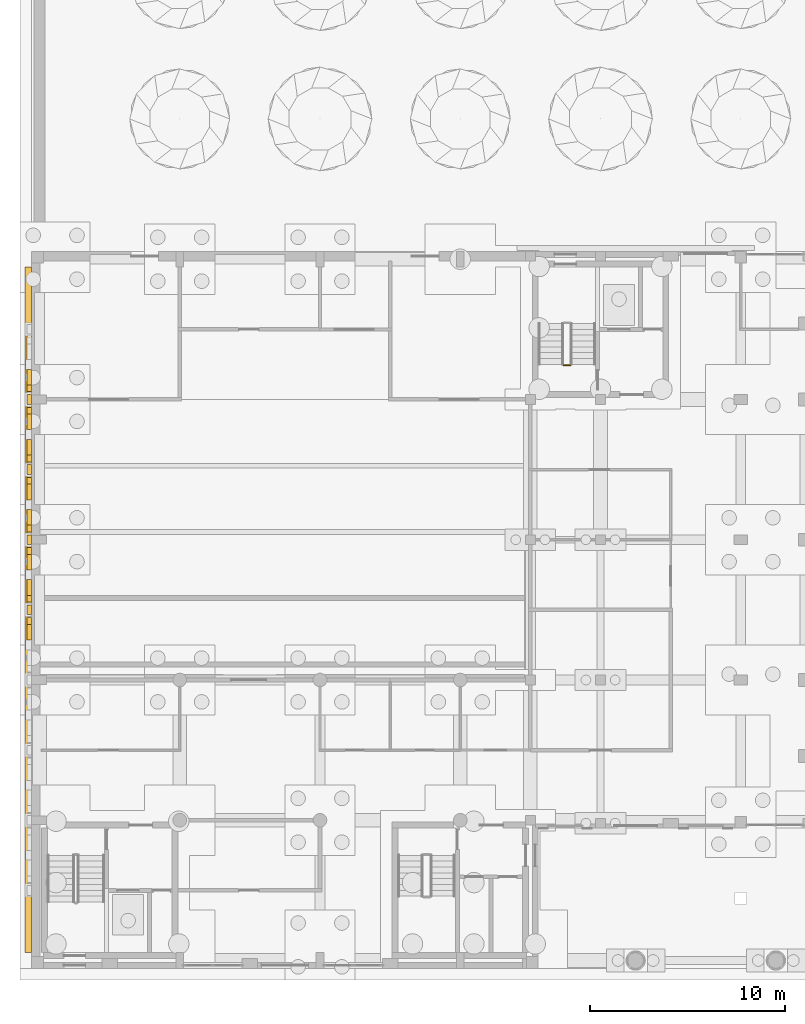
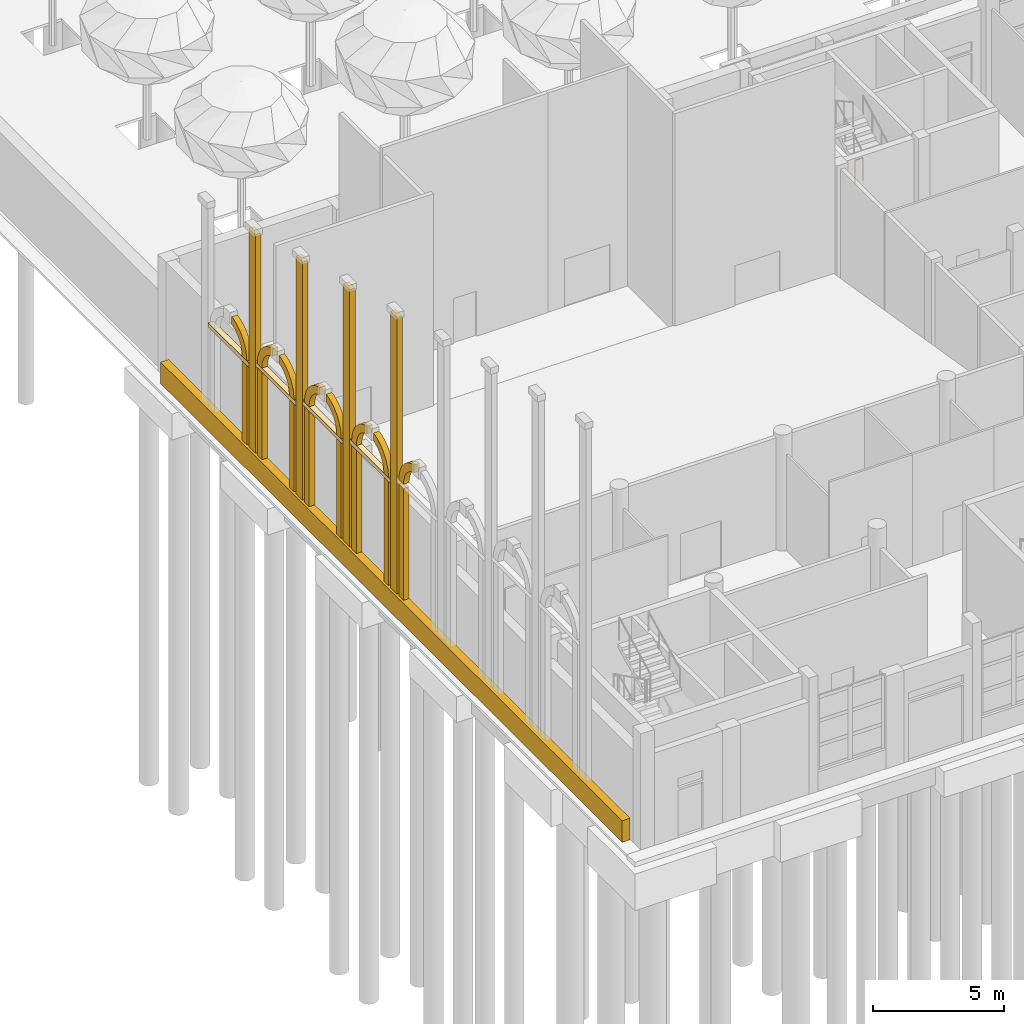
# One storey, part 58 of 80: 25 coverings, 1 railing.
"""IFC4 building model written with IfcOpenShell, lengths in metres."""

import ifcopenshell
import ifcopenshell.guid

model = None  # the IFC model being written
_history = None  # IfcOwnerHistory: only IFC2X3 demands one
_inside = {}  # id of a spatial element -> (the spatial element, [elements in it])
_under = {}  # id of a project, library or spatial element -> (it, [spatial elements below it])
_declared = {}  # id of a project -> (the project, [libraries it declares])
_typed = {}  # id of a type object -> (the type object, [elements of that type])
_made_of = {}  # id of a material, layer set ... -> (it, [elements and type objects made of it])


def new_model(schema):
    """Start an empty IFC model of exactly this schema.

    Asked for "IFC4X3", IfcOpenShell would pick the latest addendum, in which some entities
    have other attributes; the version numbers below select the first issue.
    IFC2X3 requires an IfcOwnerHistory on every rooted entity: one is made here for all.
    """
    global model, _history
    if schema == "IFC4X3":
        model = ifcopenshell.file(schema_version=(4, 3, 0, 0))
    else:
        model = ifcopenshell.file(schema=schema)
    _inside.clear()
    _under.clear()
    _declared.clear()
    _typed.clear()
    _made_of.clear()
    _history = None
    if model.schema == "IFC2X3":
        org = make("IfcOrganization", Name="unknown")
        user = make(
            "IfcPersonAndOrganization",
            ThePerson=make("IfcPerson", FamilyName="unknown"),
            TheOrganization=org,
        )
        app = make(
            "IfcApplication",
            ApplicationDeveloper=org,
            Version="unknown",
            ApplicationFullName="unknown",
            ApplicationIdentifier="unknown",
        )
        _history = make(
            "IfcOwnerHistory",
            OwningUser=user,
            OwningApplication=app,
            ChangeAction="ADDED",
            CreationDate=0,
        )
    return model


def make(cls, **values):
    """One entity of the class cls with the attributes given. An attribute that is None is left unset."""
    return model.create_entity(
        cls, **{name: value for name, value in values.items() if value is not None}
    )


def rooted(cls, **values):
    """An entity with a GlobalId (a new one), such as an element, a storey or a relation."""
    return make(cls, GlobalId=ifcopenshell.guid.new(), OwnerHistory=_history, **values)


def si_unit(unit_type, name, prefix=None):
    """IfcSIUnit, for example si_unit("LENGTHUNIT", "METRE", prefix="MILLI")."""
    return make("IfcSIUnit", UnitType=unit_type, Prefix=prefix, Name=name)


def assignment(units):
    """IfcUnitAssignment: the units of a project."""
    return None if units is None else make("IfcUnitAssignment", Units=units)


def point(xyz):
    """IfcCartesianPoint."""
    return None if xyz is None else make("IfcCartesianPoint", Coordinates=xyz)


def direction(xyz):
    """IfcDirection."""
    return None if xyz is None else make("IfcDirection", DirectionRatios=xyz)


def frame(location, z_axis=None, x_axis=None):
    """IfcAxis2Placement3D, a coordinate frame: its origin and axes. An axis left out is left unset."""
    return make(
        "IfcAxis2Placement3D",
        Location=point(location),
        Axis=direction(z_axis),
        RefDirection=direction(x_axis),
    )


def frame_2d(location, x_axis=None):
    """IfcAxis2Placement2D, a coordinate frame in the plane: its origin and x axis."""
    return make(
        "IfcAxis2Placement2D", Location=point(location), RefDirection=direction(x_axis)
    )


def origin():
    """The frame at (0, 0, 0) with its axes left unset."""
    return frame((0.0, 0.0, 0.0))


def origin_2d():
    """The frame at (0, 0) in the plane with its x axis left unset."""
    return frame_2d((0.0, 0.0))


def place(relative_to, where):
    """IfcLocalPlacement: puts the frame where relative to a parent placement (None: the world)."""
    return make(
        "IfcLocalPlacement", PlacementRelTo=relative_to, RelativePlacement=where
    )


def context(
    kind, dimensions, precision=None, world=None, true_north=None, identifier=None
):
    """IfcGeometricRepresentationContext, for example the 3D "Model" context."""
    return make(
        "IfcGeometricRepresentationContext",
        ContextIdentifier=identifier,
        ContextType=kind,
        CoordinateSpaceDimension=dimensions,
        Precision=precision,
        WorldCoordinateSystem=world,
        TrueNorth=true_north,
    )


def subcontext(parent, identifier, kind, view, scale=None):
    """IfcGeometricRepresentationSubContext, for example "Body" below "Model"."""
    return make(
        "IfcGeometricRepresentationSubContext",
        ContextIdentifier=identifier,
        ContextType=kind,
        ParentContext=parent,
        TargetScale=scale,
        TargetView=view,
    )


def project(units=None, contexts=None):
    """IfcProject with its units and contexts."""
    return rooted(
        "IfcProject",
        Name="project",
        RepresentationContexts=contexts,
        UnitsInContext=assignment(units),
    )


def spatial(cls, under=None, at=None, **own):
    """A site, building, storey or space (cls), placed at a placement, below another one or the project."""
    s = rooted(cls, ObjectPlacement=at, **own)
    if under is not None:
        _under.setdefault(under.id(), (under, []))[1].append(s)
    return s


def polyline(points):
    """IfcPolyline through the points."""
    return make("IfcPolyline", Points=[point(p) for p in points])


def profile(cls, at=None, kind="AREA", **sizes):
    """A parametric profile (cls). Its sizes go by their IFC names, for example OverallWidth=200.0."""
    return make(cls, ProfileType=kind, Position=at, **sizes)


def rectangle(**sizes):
    """IfcRectangleProfileDef."""
    return profile("IfcRectangleProfileDef", **sizes)


def circle(**sizes):
    """IfcCircleProfileDef."""
    return profile("IfcCircleProfileDef", **sizes)


def outline(outer, holes=None, kind="AREA"):
    """IfcArbitraryClosedProfileDef: a profile drawn as a closed curve; with holes, ...WithVoids."""
    if holes is None:
        return make("IfcArbitraryClosedProfileDef", ProfileType=kind, OuterCurve=outer)
    return make(
        "IfcArbitraryProfileDefWithVoids",
        ProfileType=kind,
        OuterCurve=outer,
        InnerCurves=holes,
    )


def extrude(swept, where, along, depth):
    """IfcExtrudedAreaSolid: the profile swept, set in the frame where, extruded along a direction by depth."""
    return make(
        "IfcExtrudedAreaSolid",
        SweptArea=swept,
        Position=where,
        ExtrudedDirection=direction(along),
        Depth=depth,
    )


def shape(context_of_items, identifier, shape_type, items):
    """IfcShapeRepresentation: the items that make up one representation, for example the "Body"."""
    return make(
        "IfcShapeRepresentation",
        ContextOfItems=context_of_items,
        RepresentationIdentifier=identifier,
        RepresentationType=shape_type,
        Items=items,
    )


def material(Name=None, Category=None):
    """IfcMaterial."""
    return make("IfcMaterial", Name=Name, Category=Category)


def made_of(thing, what):
    """Note that an element or type object is made of a material, layer set ...; save() writes the relation."""
    if what is not None:
        _made_of.setdefault(what.id(), (what, []))[1].append(thing)
    return thing


def type_object(cls, material=None, **own):
    """A type object (cls), such as IfcWallType, which elements share."""
    return made_of(rooted(cls, **own), material)


def element(
    cls,
    number,
    at=None,
    inside=None,
    cuts=None,
    type_object=None,
    material=None,
    context=None,
    identifier="Body",
    shape_type=None,
    held_by="IfcProductDefinitionShape",
    body=None,
    shapes=None,
    **own,
):
    """One element of the class cls, such as IfcWall. Its Tag is "e" and its number.

    at: its placement. inside: the storey or other place that contains it. cuts: it is an
    opening in that element (IfcRelVoidsElement). A single representation is given by context,
    identifier, shape_type and body (its items); several are given by shapes. held_by: the class
    of the entity that holds the representations. save() writes the other relations.
    """
    e = rooted(cls, Tag="e%d" % number, ObjectPlacement=at, **own)
    if body is not None:
        shapes = [shape(context, identifier, shape_type, body)]
    if shapes is not None:
        e.Representation = make(held_by, Representations=shapes)
    if inside is not None:
        _inside.setdefault(inside.id(), (inside, []))[1].append(e)
    if cuts is not None:
        rooted(
            "IfcRelVoidsElement", RelatingBuildingElement=cuts, RelatedOpeningElement=e
        )
    if type_object is not None:
        _typed.setdefault(type_object.id(), (type_object, []))[1].append(e)
    return made_of(e, material)


def aggregate(whole, parts):
    """IfcRelAggregates: a whole, such as a stair, and the parts it consists of."""
    return rooted("IfcRelAggregates", RelatingObject=whole, RelatedObjects=parts)


def save(model, path):
    """Write the relations noted so far, then the file.

    IfcRelAggregates (storeys below a building ...), IfcRelContainedInSpatialStructure (elements
    in a storey), IfcRelDefinesByType, IfcRelAssociatesMaterial and IfcRelDeclares: one each for
    every whole, place, type object, material and project.
    """
    for whole, parts in _under.values():
        aggregate(whole, parts)
    for where, things in _inside.values():
        rooted(
            "IfcRelContainedInSpatialStructure",
            RelatedElements=things,
            RelatingStructure=where,
        )
    for kind, things in _typed.values():
        rooted("IfcRelDefinesByType", RelatedObjects=things, RelatingType=kind)
    for what, things in _made_of.values():
        rooted("IfcRelAssociatesMaterial", RelatedObjects=things, RelatingMaterial=what)
    for by, libraries in _declared.values():
        rooted("IfcRelDeclares", RelatingContext=by, RelatedDefinitions=libraries)
    model.write(path)


model = new_model("IFC4")

# Units and contexts
model_context = context("Model", 3, precision=1e-05, world=origin(), true_north=direction((0.0, 1.0)))
body_context = subcontext(model_context, "Body", "Model", "MODEL_VIEW")
ifc_project = project(units=[si_unit("LENGTHUNIT", "METRE"), si_unit("AREAUNIT", "SQUARE_METRE"), si_unit("VOLUMEUNIT", "CUBIC_METRE"), si_unit("PLANEANGLEUNIT", "RADIAN"), si_unit("MASSUNIT", "GRAM", prefix="KILO")], contexts=[model_context])

# Site, building, storey
site_placement = place(None, origin())
site = spatial("IfcSite", under=ifc_project, at=site_placement, CompositionType="ELEMENT")
building_placement = place(site_placement, origin())
building = spatial("IfcBuilding", under=site, at=building_placement, Name="Ussher Court Research Institute", CompositionType="ELEMENT")
storey_placement = place(building_placement, origin())
storey = spatial("IfcBuildingStorey", under=building, at=storey_placement, Name="L00", CompositionType="ELEMENT", Elevation=0.0)

# Coverings
ifc_material_1 = material(Name="Limestone cornice", Category="masonry")
covering_type_1 = type_object("IfcCoveringType", Name="Arcade impost course 250x200", PredefinedType="CLADDING", material=ifc_material_1)
for number, where, z_axis, x_axis, name in (
    (1, (2.47509765625, 23.800048828125, 5.82421875), (0.0, 0.0, 1.0), (1.0, 0.0, 0.0), "Arcade impost course CC39"),
    (2, (2.47509765625, 27.39990234375, 5.4462890625), (0.0, 0.0, 1.0), (1.0, 0.0, 0.0), "Arcade impost course CC39"),
    (3, (2.47509765625, 31.0, 5.068359375), (0.0, 0.0, 1.0), (1.0, 0.0, 0.0), "Arcade impost course CC39"),
    (4, (2.47509765625, 34.60009765625, 4.6904296875), (0.0, 0.0, 1.0), (1.0, 0.0, 0.0), "Arcade impost course CC39"),
):
    element("IfcCovering", number, at=place(storey_placement, frame(where, z_axis=z_axis, x_axis=x_axis)), inside=storey, type_object=covering_type_1, Name=name, PredefinedType="CLADDING", context=body_context, shape_type="SweptSolid", body=[
        extrude(rectangle(XDim=0.25, YDim=3.10009765625, at=origin_2d()), origin(), (0.0, 0.0, 1.0), 0.199951171875),
    ])
ifc_material_2 = material(Name="Limestone cornice", Category="masonry")
covering_type_2 = type_object("IfcCoveringType", Name="Arcade jamb 350x250", PredefinedType="CLADDING", material=ifc_material_2)
covering_1_placement = place(storey_placement, frame((2.47509765625, 21.425048828125, 1.0), z_axis=(0.0, 0.0, 1.0), x_axis=(1.0, 0.0, 0.0)))
element("IfcCovering", 5, at=covering_1_placement, inside=storey, type_object=covering_type_2, Name="Arcade jamb CC40", PredefinedType="CLADDING", context=body_context, shape_type="SweptSolid", body=[
    extrude(rectangle(XDim=0.25, YDim=0.35009765625, at=origin_2d()), origin(), (0.0, 0.0, 1.0), 5.2021484375),
])
for number, where, z_axis, x_axis, name in (
    (6, (2.47509765625, 22.574951171875, 1.0), (0.0, 0.0, 1.0), (1.0, 0.0, 0.0), "Arcade jamb CC40"),
    (7, (2.47509765625, 25.02490234375, 1.0), (0.0, 0.0, 1.0), (1.0, 0.0, 0.0), "Arcade jamb CC40"),
):
    element("IfcCovering", number, at=place(storey_placement, frame(where, z_axis=z_axis, x_axis=x_axis)), inside=storey, type_object=covering_type_2, Name=name, PredefinedType="CLADDING", context=body_context, shape_type="SweptSolid", body=[
        extrude(rectangle(XDim=0.25, YDim=0.35009765625, at=origin_2d()), origin(), (0.0, 0.0, 1.0), 4.82421875),
    ])
for number, where, z_axis, x_axis, name in (
    (8, (2.47509765625, 26.175048828125, 1.0), (0.0, 0.0, 1.0), (1.0, 0.0, 0.0), "Arcade jamb CC40"),
    (9, (2.47509765625, 28.625, 1.0), (0.0, 0.0, 1.0), (1.0, 0.0, 0.0), "Arcade jamb CC40"),
):
    element("IfcCovering", number, at=place(storey_placement, frame(where, z_axis=z_axis, x_axis=x_axis)), inside=storey, type_object=covering_type_2, Name=name, PredefinedType="CLADDING", context=body_context, shape_type="SweptSolid", body=[
        extrude(rectangle(XDim=0.25, YDim=0.35009765625, at=origin_2d()), origin(), (0.0, 0.0, 1.0), 4.4462890625),
    ])
for number, where, z_axis, x_axis, name in (
    (10, (2.47509765625, 29.77490234375, 1.0), (0.0, 0.0, 1.0), (1.0, 0.0, 0.0), "Arcade jamb CC40"),
    (11, (2.47509765625, 32.22509765625, 1.0), (0.0, 0.0, 1.0), (1.0, 0.0, 0.0), "Arcade jamb CC40"),
):
    element("IfcCovering", number, at=place(storey_placement, frame(where, z_axis=z_axis, x_axis=x_axis)), inside=storey, type_object=covering_type_2, Name=name, PredefinedType="CLADDING", context=body_context, shape_type="SweptSolid", body=[
        extrude(rectangle(XDim=0.25, YDim=0.35009765625, at=origin_2d()), origin(), (0.0, 0.0, 1.0), 4.068115234375),
    ])
covering_2_placement = place(storey_placement, frame((2.47509765625, 33.375, 1.0), z_axis=(0.0, 0.0, 1.0), x_axis=(1.0, 0.0, 0.0)))
element("IfcCovering", 12, at=covering_2_placement, inside=storey, type_object=covering_type_2, Name="Arcade jamb CC40", PredefinedType="CLADDING", context=body_context, shape_type="SweptSolid", body=[
    extrude(rectangle(XDim=0.25, YDim=0.35009765625, at=origin_2d()), origin(), (0.0, 0.0, 1.0), 3.690185546875),
])
ifc_material_3 = material(Name="Limestone cornice", Category="masonry")
covering_type_3 = type_object("IfcCoveringType", Name="Archivolt 2100 span", PredefinedType="CLADDING", material=ifc_material_3)
covering_3_placement = place(storey_placement, frame((2.35009765625, 20.199951171875, 6.402099609375), z_axis=(1.0, 0.0, 0.0), x_axis=(0.0, 1.0, 0.0)))
element("IfcCovering", 13, at=covering_3_placement, inside=storey, type_object=covering_type_3, Name="Archivolt CC41", PredefinedType="CLADDING", context=body_context, shape_type="SweptSolid", body=[
    extrude(outline(polyline([(0.273193359375, 1.373046875), (0.25, 1.377197265625), (0.25, 1.019775390625), (0.271728515625, 1.01416015625), (0.3046875, 1.0048828125), (0.33740234375, 0.994384765625), (0.369873046875, 0.982666015625), (0.40185546875, 0.97021484375), (0.433349609375, 0.956298828125), (0.46435546875, 0.941650390625), (0.4951171875, 0.926025390625), (0.52490234375, 0.9091796875), (0.554443359375, 0.8916015625), (0.583251953125, 0.873046875), (0.611572265625, 0.853515625), (0.63916015625, 0.8330078125), (0.666015625, 0.811767578125), (0.6923828125, 0.789306640625), (0.7177734375, 0.766357421875), (0.742431640625, 0.742431640625), (0.766357421875, 0.7177734375), (0.789306640625, 0.6923828125), (0.811767578125, 0.666015625), (0.8330078125, 0.63916015625), (0.853515625, 0.611572265625), (0.873046875, 0.583251953125), (0.8916015625, 0.554443359375), (0.9091796875, 0.52490234375), (0.926025390625, 0.4951171875), (0.941650390625, 0.46435546875), (0.956298828125, 0.433349609375), (0.97021484375, 0.40185546875), (0.982666015625, 0.369873046875), (0.994384765625, 0.33740234375), (1.0048828125, 0.3046875), (1.01416015625, 0.271728515625), (1.022705078125, 0.23828125), (1.02978515625, 0.204833984375), (1.035888671875, 0.1708984375), (1.041015625, 0.13720703125), (1.044921875, 0.102783203125), (1.0478515625, 0.068603515625), (1.04931640625, 0.034423828125), (1.050048828125, 0.0), (1.39990234375, 0.0), (1.3994140625, 0.0458984375), (1.39697265625, 0.091552734375), (1.393310546875, 0.13720703125), (1.387939453125, 0.1826171875), (1.38134765625, 0.22802734375), (1.373046875, 0.273193359375), (1.36328125, 0.31787109375), (1.352294921875, 0.3623046875), (1.339599609375, 0.406494140625), (1.32568359375, 0.449951171875), (1.310302734375, 0.4931640625), (1.29345703125, 0.535888671875), (1.275146484375, 0.577880859375), (1.255615234375, 0.619140625), (1.234619140625, 0.659912109375), (1.21240234375, 0.699951171875), (1.18896484375, 0.7392578125), (1.1640625, 0.77783203125), (1.137939453125, 0.8154296875), (1.110595703125, 0.852294921875), (1.082275390625, 0.88818359375), (1.052490234375, 0.923095703125), (1.021728515625, 0.95703125), (0.989990234375, 0.989990234375), (0.95703125, 1.021728515625), (0.923095703125, 1.052490234375), (0.88818359375, 1.082275390625), (0.852294921875, 1.110595703125), (0.8154296875, 1.137939453125), (0.77783203125, 1.1640625), (0.7392578125, 1.18896484375), (0.699951171875, 1.21240234375), (0.659912109375, 1.234619140625), (0.619140625, 1.255615234375), (0.577880859375, 1.275146484375), (0.535888671875, 1.29345703125), (0.4931640625, 1.310302734375), (0.449951171875, 1.32568359375), (0.406494140625, 1.339599609375), (0.3623046875, 1.352294921875), (0.31787109375, 1.36328125), (0.273193359375, 1.373046875)])), origin(), (0.0, 0.0, 1.0), 0.25),
])
covering_4_placement = place(storey_placement, frame((2.35009765625, 23.800048828125, 6.024169921875), z_axis=(1.0, 0.0, 0.0), x_axis=(0.0, 1.0, 0.0)))
element("IfcCovering", 14, at=covering_4_placement, inside=storey, type_object=covering_type_3, Name="Archivolt CC41", PredefinedType="CLADDING", context=body_context, shape_type="SweptSolid", body=[
    extrude(outline(polyline([(-0.273193359375, 1.373046875), (-0.31787109375, 1.36328125), (-0.3623046875, 1.352294921875), (-0.406494140625, 1.339599609375), (-0.449951171875, 1.32568359375), (-0.4931640625, 1.310302734375), (-0.535888671875, 1.29345703125), (-0.577880859375, 1.275146484375), (-0.619140625, 1.255615234375), (-0.659912109375, 1.234619140625), (-0.699951171875, 1.21240234375), (-0.7392578125, 1.18896484375), (-0.77783203125, 1.1640625), (-0.8154296875, 1.137939453125), (-0.852294921875, 1.110595703125), (-0.88818359375, 1.082275390625), (-0.923095703125, 1.052490234375), (-0.95703125, 1.021728515625), (-0.989990234375, 0.989990234375), (-1.021728515625, 0.95703125), (-1.052490234375, 0.923095703125), (-1.082275390625, 0.88818359375), (-1.110595703125, 0.852294921875), (-1.137939453125, 0.8154296875), (-1.1640625, 0.77783203125), (-1.18896484375, 0.7392578125), (-1.21240234375, 0.699951171875), (-1.234619140625, 0.659912109375), (-1.255615234375, 0.619140625), (-1.275146484375, 0.577880859375), (-1.29345703125, 0.535888671875), (-1.310302734375, 0.4931640625), (-1.32568359375, 0.449951171875), (-1.339599609375, 0.406494140625), (-1.352294921875, 0.3623046875), (-1.36328125, 0.31787109375), (-1.373046875, 0.273193359375), (-1.38134765625, 0.22802734375), (-1.387939453125, 0.1826171875), (-1.393310546875, 0.13720703125), (-1.39697265625, 0.091552734375), (-1.3994140625, 0.0458984375), (-1.39990234375, 0.0), (-1.050048828125, 0.0), (-1.04931640625, 0.034423828125), (-1.0478515625, 0.068603515625), (-1.044921875, 0.102783203125), (-1.041015625, 0.13720703125), (-1.035888671875, 0.1708984375), (-1.02978515625, 0.204833984375), (-1.022705078125, 0.23828125), (-1.01416015625, 0.271728515625), (-1.0048828125, 0.3046875), (-0.994384765625, 0.33740234375), (-0.982666015625, 0.369873046875), (-0.97021484375, 0.40185546875), (-0.956298828125, 0.433349609375), (-0.941650390625, 0.46435546875), (-0.926025390625, 0.4951171875), (-0.9091796875, 0.52490234375), (-0.8916015625, 0.554443359375), (-0.873046875, 0.583251953125), (-0.853515625, 0.611572265625), (-0.8330078125, 0.63916015625), (-0.811767578125, 0.666015625), (-0.789306640625, 0.6923828125), (-0.766357421875, 0.7177734375), (-0.742431640625, 0.742431640625), (-0.7177734375, 0.766357421875), (-0.6923828125, 0.789306640625), (-0.666015625, 0.811767578125), (-0.63916015625, 0.8330078125), (-0.611572265625, 0.853515625), (-0.583251953125, 0.873046875), (-0.554443359375, 0.8916015625), (-0.52490234375, 0.9091796875), (-0.4951171875, 0.926025390625), (-0.46435546875, 0.941650390625), (-0.433349609375, 0.956298828125), (-0.40185546875, 0.97021484375), (-0.369873046875, 0.982666015625), (-0.33740234375, 0.994384765625), (-0.3046875, 1.0048828125), (-0.271728515625, 1.01416015625), (-0.25, 1.019775390625), (-0.25, 1.377197265625), (-0.273193359375, 1.373046875)])), origin(), (0.0, 0.0, 1.0), 0.25),
])
covering_5_placement = place(storey_placement, frame((2.35009765625, 23.800048828125, 6.024169921875), z_axis=(1.0, 0.0, 0.0), x_axis=(0.0, 1.0, 0.0)))
element("IfcCovering", 15, at=covering_5_placement, inside=storey, type_object=covering_type_3, Name="Archivolt CC41", PredefinedType="CLADDING", context=body_context, shape_type="SweptSolid", body=[
    extrude(outline(polyline([(0.273193359375, 1.373046875), (0.25, 1.377197265625), (0.25, 1.019775390625), (0.271728515625, 1.01416015625), (0.3046875, 1.0048828125), (0.33740234375, 0.994384765625), (0.369873046875, 0.982666015625), (0.40185546875, 0.97021484375), (0.433349609375, 0.956298828125), (0.46435546875, 0.941650390625), (0.4951171875, 0.926025390625), (0.52490234375, 0.9091796875), (0.554443359375, 0.8916015625), (0.583251953125, 0.873046875), (0.611572265625, 0.853515625), (0.63916015625, 0.8330078125), (0.666015625, 0.811767578125), (0.6923828125, 0.789306640625), (0.7177734375, 0.766357421875), (0.742431640625, 0.742431640625), (0.766357421875, 0.7177734375), (0.789306640625, 0.6923828125), (0.811767578125, 0.666015625), (0.8330078125, 0.63916015625), (0.853515625, 0.611572265625), (0.873046875, 0.583251953125), (0.8916015625, 0.554443359375), (0.9091796875, 0.52490234375), (0.926025390625, 0.4951171875), (0.941650390625, 0.46435546875), (0.956298828125, 0.433349609375), (0.97021484375, 0.40185546875), (0.982666015625, 0.369873046875), (0.994384765625, 0.33740234375), (1.0048828125, 0.3046875), (1.01416015625, 0.271728515625), (1.022705078125, 0.23828125), (1.02978515625, 0.204833984375), (1.035888671875, 0.1708984375), (1.041015625, 0.13720703125), (1.044921875, 0.102783203125), (1.0478515625, 0.068603515625), (1.04931640625, 0.034423828125), (1.050048828125, 0.0), (1.39990234375, 0.0), (1.3994140625, 0.0458984375), (1.39697265625, 0.091552734375), (1.393310546875, 0.13720703125), (1.387939453125, 0.1826171875), (1.38134765625, 0.22802734375), (1.373046875, 0.273193359375), (1.36328125, 0.31787109375), (1.352294921875, 0.3623046875), (1.339599609375, 0.406494140625), (1.32568359375, 0.449951171875), (1.310302734375, 0.4931640625), (1.29345703125, 0.535888671875), (1.275146484375, 0.577880859375), (1.255615234375, 0.619140625), (1.234619140625, 0.659912109375), (1.21240234375, 0.699951171875), (1.18896484375, 0.7392578125), (1.1640625, 0.77783203125), (1.137939453125, 0.8154296875), (1.110595703125, 0.852294921875), (1.082275390625, 0.88818359375), (1.052490234375, 0.923095703125), (1.021728515625, 0.95703125), (0.989990234375, 0.989990234375), (0.95703125, 1.021728515625), (0.923095703125, 1.052490234375), (0.88818359375, 1.082275390625), (0.852294921875, 1.110595703125), (0.8154296875, 1.137939453125), (0.77783203125, 1.1640625), (0.7392578125, 1.18896484375), (0.699951171875, 1.21240234375), (0.659912109375, 1.234619140625), (0.619140625, 1.255615234375), (0.577880859375, 1.275146484375), (0.535888671875, 1.29345703125), (0.4931640625, 1.310302734375), (0.449951171875, 1.32568359375), (0.406494140625, 1.339599609375), (0.3623046875, 1.352294921875), (0.31787109375, 1.36328125), (0.273193359375, 1.373046875)])), origin(), (0.0, 0.0, 1.0), 0.25),
])
covering_6_placement = place(storey_placement, frame((2.35009765625, 27.39990234375, 5.646240234375), z_axis=(1.0, 0.0, 0.0), x_axis=(0.0, 1.0, 0.0)))
element("IfcCovering", 16, at=covering_6_placement, inside=storey, type_object=covering_type_3, Name="Archivolt CC41", PredefinedType="CLADDING", context=body_context, shape_type="SweptSolid", body=[
    extrude(outline(polyline([(-0.273193359375, 1.373046875), (-0.31787109375, 1.36328125), (-0.3623046875, 1.352294921875), (-0.406494140625, 1.339599609375), (-0.449951171875, 1.32568359375), (-0.4931640625, 1.310302734375), (-0.535888671875, 1.29345703125), (-0.577880859375, 1.275146484375), (-0.619140625, 1.255615234375), (-0.659912109375, 1.234619140625), (-0.699951171875, 1.21240234375), (-0.7392578125, 1.18896484375), (-0.77783203125, 1.1640625), (-0.8154296875, 1.137939453125), (-0.852294921875, 1.110595703125), (-0.88818359375, 1.082275390625), (-0.923095703125, 1.052490234375), (-0.95703125, 1.021728515625), (-0.989990234375, 0.989990234375), (-1.021728515625, 0.95703125), (-1.052490234375, 0.923095703125), (-1.082275390625, 0.88818359375), (-1.110595703125, 0.852294921875), (-1.137939453125, 0.8154296875), (-1.1640625, 0.77783203125), (-1.18896484375, 0.7392578125), (-1.21240234375, 0.699951171875), (-1.234619140625, 0.659912109375), (-1.255615234375, 0.619140625), (-1.275146484375, 0.577880859375), (-1.29345703125, 0.535888671875), (-1.310302734375, 0.4931640625), (-1.32568359375, 0.449951171875), (-1.339599609375, 0.406494140625), (-1.352294921875, 0.3623046875), (-1.36328125, 0.31787109375), (-1.373046875, 0.273193359375), (-1.38134765625, 0.22802734375), (-1.387939453125, 0.1826171875), (-1.393310546875, 0.13720703125), (-1.39697265625, 0.091552734375), (-1.3994140625, 0.0458984375), (-1.39990234375, 0.0), (-1.050048828125, 0.0), (-1.04931640625, 0.034423828125), (-1.0478515625, 0.068603515625), (-1.044921875, 0.102783203125), (-1.041015625, 0.13720703125), (-1.035888671875, 0.1708984375), (-1.02978515625, 0.204833984375), (-1.022705078125, 0.23828125), (-1.01416015625, 0.271728515625), (-1.0048828125, 0.3046875), (-0.994384765625, 0.33740234375), (-0.982666015625, 0.369873046875), (-0.97021484375, 0.40185546875), (-0.956298828125, 0.433349609375), (-0.941650390625, 0.46435546875), (-0.926025390625, 0.4951171875), (-0.9091796875, 0.52490234375), (-0.8916015625, 0.554443359375), (-0.873046875, 0.583251953125), (-0.853515625, 0.611572265625), (-0.8330078125, 0.63916015625), (-0.811767578125, 0.666015625), (-0.789306640625, 0.6923828125), (-0.766357421875, 0.7177734375), (-0.742431640625, 0.742431640625), (-0.7177734375, 0.766357421875), (-0.6923828125, 0.789306640625), (-0.666015625, 0.811767578125), (-0.63916015625, 0.8330078125), (-0.611572265625, 0.853515625), (-0.583251953125, 0.873046875), (-0.554443359375, 0.8916015625), (-0.52490234375, 0.9091796875), (-0.4951171875, 0.926025390625), (-0.46435546875, 0.941650390625), (-0.433349609375, 0.956298828125), (-0.40185546875, 0.97021484375), (-0.369873046875, 0.982666015625), (-0.33740234375, 0.994384765625), (-0.3046875, 1.0048828125), (-0.271728515625, 1.01416015625), (-0.25, 1.019775390625), (-0.25, 1.377197265625), (-0.273193359375, 1.373046875)])), origin(), (0.0, 0.0, 1.0), 0.25),
])
covering_7_placement = place(storey_placement, frame((2.35009765625, 27.39990234375, 5.646240234375), z_axis=(1.0, 0.0, 0.0), x_axis=(0.0, 1.0, 0.0)))
element("IfcCovering", 17, at=covering_7_placement, inside=storey, type_object=covering_type_3, Name="Archivolt CC41", PredefinedType="CLADDING", context=body_context, shape_type="SweptSolid", body=[
    extrude(outline(polyline([(0.273193359375, 1.373046875), (0.25, 1.377197265625), (0.25, 1.019775390625), (0.271728515625, 1.01416015625), (0.3046875, 1.0048828125), (0.33740234375, 0.994384765625), (0.369873046875, 0.982666015625), (0.40185546875, 0.97021484375), (0.433349609375, 0.956298828125), (0.46435546875, 0.941650390625), (0.4951171875, 0.926025390625), (0.52490234375, 0.9091796875), (0.554443359375, 0.8916015625), (0.583251953125, 0.873046875), (0.611572265625, 0.853515625), (0.63916015625, 0.8330078125), (0.666015625, 0.811767578125), (0.6923828125, 0.789306640625), (0.7177734375, 0.766357421875), (0.742431640625, 0.742431640625), (0.766357421875, 0.7177734375), (0.789306640625, 0.6923828125), (0.811767578125, 0.666015625), (0.8330078125, 0.63916015625), (0.853515625, 0.611572265625), (0.873046875, 0.583251953125), (0.8916015625, 0.554443359375), (0.9091796875, 0.52490234375), (0.926025390625, 0.4951171875), (0.941650390625, 0.46435546875), (0.956298828125, 0.433349609375), (0.97021484375, 0.40185546875), (0.982666015625, 0.369873046875), (0.994384765625, 0.33740234375), (1.0048828125, 0.3046875), (1.01416015625, 0.271728515625), (1.022705078125, 0.23828125), (1.02978515625, 0.204833984375), (1.035888671875, 0.1708984375), (1.041015625, 0.13720703125), (1.044921875, 0.102783203125), (1.0478515625, 0.068603515625), (1.04931640625, 0.034423828125), (1.050048828125, 0.0), (1.39990234375, 0.0), (1.3994140625, 0.0458984375), (1.39697265625, 0.091552734375), (1.393310546875, 0.13720703125), (1.387939453125, 0.1826171875), (1.38134765625, 0.22802734375), (1.373046875, 0.273193359375), (1.36328125, 0.31787109375), (1.352294921875, 0.3623046875), (1.339599609375, 0.406494140625), (1.32568359375, 0.449951171875), (1.310302734375, 0.4931640625), (1.29345703125, 0.535888671875), (1.275146484375, 0.577880859375), (1.255615234375, 0.619140625), (1.234619140625, 0.659912109375), (1.21240234375, 0.699951171875), (1.18896484375, 0.7392578125), (1.1640625, 0.77783203125), (1.137939453125, 0.8154296875), (1.110595703125, 0.852294921875), (1.082275390625, 0.88818359375), (1.052490234375, 0.923095703125), (1.021728515625, 0.95703125), (0.989990234375, 0.989990234375), (0.95703125, 1.021728515625), (0.923095703125, 1.052490234375), (0.88818359375, 1.082275390625), (0.852294921875, 1.110595703125), (0.8154296875, 1.137939453125), (0.77783203125, 1.1640625), (0.7392578125, 1.18896484375), (0.699951171875, 1.21240234375), (0.659912109375, 1.234619140625), (0.619140625, 1.255615234375), (0.577880859375, 1.275146484375), (0.535888671875, 1.29345703125), (0.4931640625, 1.310302734375), (0.449951171875, 1.32568359375), (0.406494140625, 1.339599609375), (0.3623046875, 1.352294921875), (0.31787109375, 1.36328125), (0.273193359375, 1.373046875)])), origin(), (0.0, 0.0, 1.0), 0.25),
])
covering_8_placement = place(storey_placement, frame((2.35009765625, 31.0, 5.268310546875), z_axis=(1.0, 0.0, 0.0), x_axis=(0.0, 1.0, 0.0)))
element("IfcCovering", 18, at=covering_8_placement, inside=storey, type_object=covering_type_3, Name="Archivolt CC41", PredefinedType="CLADDING", context=body_context, shape_type="SweptSolid", body=[
    extrude(outline(polyline([(-0.273193359375, 1.373046875), (-0.31787109375, 1.36328125), (-0.3623046875, 1.352294921875), (-0.406494140625, 1.339599609375), (-0.449951171875, 1.32568359375), (-0.4931640625, 1.310302734375), (-0.535888671875, 1.29345703125), (-0.577880859375, 1.275146484375), (-0.619140625, 1.255615234375), (-0.659912109375, 1.234619140625), (-0.699951171875, 1.21240234375), (-0.7392578125, 1.18896484375), (-0.77783203125, 1.1640625), (-0.8154296875, 1.137939453125), (-0.852294921875, 1.110595703125), (-0.88818359375, 1.082275390625), (-0.923095703125, 1.052490234375), (-0.95703125, 1.021728515625), (-0.989990234375, 0.989990234375), (-1.021728515625, 0.95703125), (-1.052490234375, 0.923095703125), (-1.082275390625, 0.88818359375), (-1.110595703125, 0.852294921875), (-1.137939453125, 0.8154296875), (-1.1640625, 0.77783203125), (-1.18896484375, 0.7392578125), (-1.21240234375, 0.699951171875), (-1.234619140625, 0.659912109375), (-1.255615234375, 0.619140625), (-1.275146484375, 0.577880859375), (-1.29345703125, 0.535888671875), (-1.310302734375, 0.4931640625), (-1.32568359375, 0.449951171875), (-1.339599609375, 0.406494140625), (-1.352294921875, 0.3623046875), (-1.36328125, 0.31787109375), (-1.373046875, 0.273193359375), (-1.38134765625, 0.22802734375), (-1.387939453125, 0.1826171875), (-1.393310546875, 0.13720703125), (-1.39697265625, 0.091552734375), (-1.3994140625, 0.0458984375), (-1.39990234375, 0.0), (-1.050048828125, 0.0), (-1.04931640625, 0.034423828125), (-1.0478515625, 0.068603515625), (-1.044921875, 0.102783203125), (-1.041015625, 0.13720703125), (-1.035888671875, 0.1708984375), (-1.02978515625, 0.204833984375), (-1.022705078125, 0.23828125), (-1.01416015625, 0.271728515625), (-1.0048828125, 0.3046875), (-0.994384765625, 0.33740234375), (-0.982666015625, 0.369873046875), (-0.97021484375, 0.40185546875), (-0.956298828125, 0.433349609375), (-0.941650390625, 0.46435546875), (-0.926025390625, 0.4951171875), (-0.9091796875, 0.52490234375), (-0.8916015625, 0.554443359375), (-0.873046875, 0.583251953125), (-0.853515625, 0.611572265625), (-0.8330078125, 0.63916015625), (-0.811767578125, 0.666015625), (-0.789306640625, 0.6923828125), (-0.766357421875, 0.7177734375), (-0.742431640625, 0.742431640625), (-0.7177734375, 0.766357421875), (-0.6923828125, 0.789306640625), (-0.666015625, 0.811767578125), (-0.63916015625, 0.8330078125), (-0.611572265625, 0.853515625), (-0.583251953125, 0.873046875), (-0.554443359375, 0.8916015625), (-0.52490234375, 0.9091796875), (-0.4951171875, 0.926025390625), (-0.46435546875, 0.941650390625), (-0.433349609375, 0.956298828125), (-0.40185546875, 0.97021484375), (-0.369873046875, 0.982666015625), (-0.33740234375, 0.994384765625), (-0.3046875, 1.0048828125), (-0.271728515625, 1.01416015625), (-0.25, 1.019775390625), (-0.25, 1.377197265625), (-0.273193359375, 1.373046875)])), origin(), (0.0, 0.0, 1.0), 0.25),
])
covering_9_placement = place(storey_placement, frame((2.35009765625, 31.0, 5.268310546875), z_axis=(1.0, 0.0, 0.0), x_axis=(0.0, 1.0, 0.0)))
element("IfcCovering", 19, at=covering_9_placement, inside=storey, type_object=covering_type_3, Name="Archivolt CC41", PredefinedType="CLADDING", context=body_context, shape_type="SweptSolid", body=[
    extrude(outline(polyline([(0.273193359375, 1.373046875), (0.25, 1.377197265625), (0.25, 1.019775390625), (0.271728515625, 1.01416015625), (0.3046875, 1.0048828125), (0.33740234375, 0.994384765625), (0.369873046875, 0.982666015625), (0.40185546875, 0.97021484375), (0.433349609375, 0.956298828125), (0.46435546875, 0.941650390625), (0.4951171875, 0.926025390625), (0.52490234375, 0.9091796875), (0.554443359375, 0.8916015625), (0.583251953125, 0.873046875), (0.611572265625, 0.853515625), (0.63916015625, 0.8330078125), (0.666015625, 0.811767578125), (0.6923828125, 0.789306640625), (0.7177734375, 0.766357421875), (0.742431640625, 0.742431640625), (0.766357421875, 0.7177734375), (0.789306640625, 0.6923828125), (0.811767578125, 0.666015625), (0.8330078125, 0.63916015625), (0.853515625, 0.611572265625), (0.873046875, 0.583251953125), (0.8916015625, 0.554443359375), (0.9091796875, 0.52490234375), (0.926025390625, 0.4951171875), (0.941650390625, 0.46435546875), (0.956298828125, 0.433349609375), (0.97021484375, 0.40185546875), (0.982666015625, 0.369873046875), (0.994384765625, 0.33740234375), (1.0048828125, 0.3046875), (1.01416015625, 0.271728515625), (1.022705078125, 0.23828125), (1.02978515625, 0.204833984375), (1.035888671875, 0.1708984375), (1.041015625, 0.13720703125), (1.044921875, 0.102783203125), (1.0478515625, 0.068603515625), (1.04931640625, 0.034423828125), (1.050048828125, 0.0), (1.39990234375, 0.0), (1.3994140625, 0.0458984375), (1.39697265625, 0.091552734375), (1.393310546875, 0.13720703125), (1.387939453125, 0.1826171875), (1.38134765625, 0.22802734375), (1.373046875, 0.273193359375), (1.36328125, 0.31787109375), (1.352294921875, 0.3623046875), (1.339599609375, 0.406494140625), (1.32568359375, 0.449951171875), (1.310302734375, 0.4931640625), (1.29345703125, 0.535888671875), (1.275146484375, 0.577880859375), (1.255615234375, 0.619140625), (1.234619140625, 0.659912109375), (1.21240234375, 0.699951171875), (1.18896484375, 0.7392578125), (1.1640625, 0.77783203125), (1.137939453125, 0.8154296875), (1.110595703125, 0.852294921875), (1.082275390625, 0.88818359375), (1.052490234375, 0.923095703125), (1.021728515625, 0.95703125), (0.989990234375, 0.989990234375), (0.95703125, 1.021728515625), (0.923095703125, 1.052490234375), (0.88818359375, 1.082275390625), (0.852294921875, 1.110595703125), (0.8154296875, 1.137939453125), (0.77783203125, 1.1640625), (0.7392578125, 1.18896484375), (0.699951171875, 1.21240234375), (0.659912109375, 1.234619140625), (0.619140625, 1.255615234375), (0.577880859375, 1.275146484375), (0.535888671875, 1.29345703125), (0.4931640625, 1.310302734375), (0.449951171875, 1.32568359375), (0.406494140625, 1.339599609375), (0.3623046875, 1.352294921875), (0.31787109375, 1.36328125), (0.273193359375, 1.373046875)])), origin(), (0.0, 0.0, 1.0), 0.25),
])
covering_10_placement = place(storey_placement, frame((2.35009765625, 34.60009765625, 4.89013671875), z_axis=(1.0, 0.0, 0.0), x_axis=(0.0, 1.0, 0.0)))
element("IfcCovering", 20, at=covering_10_placement, inside=storey, type_object=covering_type_3, Name="Archivolt CC41", PredefinedType="CLADDING", context=body_context, shape_type="SweptSolid", body=[
    extrude(outline(polyline([(-0.273193359375, 1.373046875), (-0.31787109375, 1.36328125), (-0.3623046875, 1.352294921875), (-0.406494140625, 1.339599609375), (-0.449951171875, 1.32568359375), (-0.4931640625, 1.310302734375), (-0.535888671875, 1.29345703125), (-0.577880859375, 1.275146484375), (-0.619140625, 1.255615234375), (-0.659912109375, 1.234619140625), (-0.699951171875, 1.21240234375), (-0.7392578125, 1.18896484375), (-0.77783203125, 1.1640625), (-0.8154296875, 1.137939453125), (-0.852294921875, 1.110595703125), (-0.88818359375, 1.082275390625), (-0.923095703125, 1.052490234375), (-0.95703125, 1.021728515625), (-0.989990234375, 0.989990234375), (-1.021728515625, 0.95703125), (-1.052490234375, 0.923095703125), (-1.082275390625, 0.88818359375), (-1.110595703125, 0.852294921875), (-1.137939453125, 0.8154296875), (-1.1640625, 0.77783203125), (-1.18896484375, 0.7392578125), (-1.21240234375, 0.699951171875), (-1.234619140625, 0.659912109375), (-1.255615234375, 0.619140625), (-1.275146484375, 0.577880859375), (-1.29345703125, 0.535888671875), (-1.310302734375, 0.4931640625), (-1.32568359375, 0.449951171875), (-1.339599609375, 0.406494140625), (-1.352294921875, 0.3623046875), (-1.36328125, 0.31787109375), (-1.373046875, 0.273193359375), (-1.38134765625, 0.22802734375), (-1.387939453125, 0.1826171875), (-1.393310546875, 0.13720703125), (-1.39697265625, 0.091552734375), (-1.3994140625, 0.0458984375), (-1.39990234375, 0.0), (-1.050048828125, 0.0), (-1.04931640625, 0.034423828125), (-1.0478515625, 0.068603515625), (-1.044921875, 0.102783203125), (-1.041015625, 0.13720703125), (-1.035888671875, 0.1708984375), (-1.02978515625, 0.204833984375), (-1.022705078125, 0.23828125), (-1.01416015625, 0.271728515625), (-1.0048828125, 0.3046875), (-0.994384765625, 0.33740234375), (-0.982666015625, 0.369873046875), (-0.97021484375, 0.40185546875), (-0.956298828125, 0.433349609375), (-0.941650390625, 0.46435546875), (-0.926025390625, 0.4951171875), (-0.9091796875, 0.52490234375), (-0.8916015625, 0.554443359375), (-0.873046875, 0.583251953125), (-0.853515625, 0.611572265625), (-0.8330078125, 0.63916015625), (-0.811767578125, 0.666015625), (-0.789306640625, 0.6923828125), (-0.766357421875, 0.7177734375), (-0.742431640625, 0.742431640625), (-0.7177734375, 0.766357421875), (-0.6923828125, 0.789306640625), (-0.666015625, 0.811767578125), (-0.63916015625, 0.8330078125), (-0.611572265625, 0.853515625), (-0.583251953125, 0.873046875), (-0.554443359375, 0.8916015625), (-0.52490234375, 0.9091796875), (-0.4951171875, 0.926025390625), (-0.46435546875, 0.941650390625), (-0.433349609375, 0.956298828125), (-0.40185546875, 0.97021484375), (-0.369873046875, 0.982666015625), (-0.33740234375, 0.994384765625), (-0.3046875, 1.0048828125), (-0.271728515625, 1.01416015625), (-0.25, 1.019775390625), (-0.25, 1.377197265625), (-0.273193359375, 1.373046875)])), origin(), (0.0, 0.0, 1.0), 0.25),
])
ifc_material_4 = material(Name="Limestone cornice", Category="masonry")
covering_type_4 = type_object("IfcCoveringType", Name="Pilaster strip 500x250", PredefinedType="CLADDING", material=ifc_material_4)
covering_11_placement = place(storey_placement, frame((2.47509765625, 22.0, 1.0), z_axis=(0.0, 0.0, 1.0), x_axis=(1.0, 0.0, 0.0)))
element("IfcCovering", 21, at=covering_11_placement, inside=storey, type_object=covering_type_4, Name="Pilaster strip CC9", PredefinedType="CLADDING", context=body_context, shape_type="SweptSolid", body=[
    extrude(rectangle(XDim=0.25, YDim=0.5, at=origin_2d()), origin(), (0.0, 0.0, 1.0), 12.862548828125),
])
covering_12_placement = place(storey_placement, frame((2.47509765625, 25.60009765625, 1.0), z_axis=(0.0, 0.0, 1.0), x_axis=(1.0, 0.0, 0.0)))
element("IfcCovering", 22, at=covering_12_placement, inside=storey, type_object=covering_type_4, Name="Pilaster strip CC9", PredefinedType="CLADDING", context=body_context, shape_type="SweptSolid", body=[
    extrude(rectangle(XDim=0.25, YDim=0.5, at=origin_2d()), origin(), (0.0, 0.0, 1.0), 11.96240234375),
])
covering_13_placement = place(storey_placement, frame((2.47509765625, 29.199951171875, 1.0), z_axis=(0.0, 0.0, 1.0), x_axis=(1.0, 0.0, 0.0)))
element("IfcCovering", 23, at=covering_13_placement, inside=storey, type_object=covering_type_4, Name="Pilaster strip CC9", PredefinedType="CLADDING", context=body_context, shape_type="SweptSolid", body=[
    extrude(rectangle(XDim=0.25, YDim=0.5, at=origin_2d()), origin(), (0.0, 0.0, 1.0), 11.0625),
])
covering_14_placement = place(storey_placement, frame((2.47509765625, 32.800048828125, 1.0), z_axis=(0.0, 0.0, 1.0), x_axis=(1.0, 0.0, 0.0)))
element("IfcCovering", 24, at=covering_14_placement, inside=storey, type_object=covering_type_4, Name="Pilaster strip CC9", PredefinedType="CLADDING", context=body_context, shape_type="SweptSolid", body=[
    extrude(rectangle(XDim=0.25, YDim=0.5, at=origin_2d()), origin(), (0.0, 0.0, 1.0), 10.16259765625),
])
ifc_material_5 = material(Name="Limestone cornice", Category="masonry")
covering_type_5 = type_object("IfcCoveringType", Name="Plinth course 350x1000", PredefinedType="CLADDING", material=ifc_material_5)
covering_15_placement = place(storey_placement, frame((2.425048828125, 22.0, 0.0), z_axis=(0.0, 0.0, 1.0), x_axis=(1.0, 0.0, 0.0)))
element("IfcCovering", 25, at=covering_15_placement, inside=storey, type_object=covering_type_5, Name="Plinth course CC20", PredefinedType="CLADDING", context=body_context, shape_type="SweptSolid", body=[
    extrude(rectangle(XDim=0.35009765625, YDim=35.199951171875, at=origin_2d()), origin(), (0.0, 0.0, 1.0), 1.0),
])

# Railing
ifc_material_6 = material(Name="Painted steel balustrade", Category="steel")
railing_type = type_object("IfcRailingType", Name="Stair guard 1100 steel balustrade", PredefinedType="GUARDRAIL", material=ifc_material_6)
railing_placement = place(storey_placement, frame((30.25, 34.550048828125, 2.699951171875)))
element("IfcRailing", 26, at=railing_placement, inside=storey, type_object=railing_type, Name="L00 W1 stair guard 4", PredefinedType="GUARDRAIL", context=body_context, shape_type="SweptSolid", body=[
    extrude(circle(Radius=0.02392578125, at=origin_2d()), frame((0.0, 0.0, 1.076171875), z_axis=(-1.0, 0.0, 0.0), x_axis=(0.0, -1.0, 0.0)), (0.0, 0.0, 1.0), 0.35009765625),
    extrude(circle(Radius=0.02099609375, at=origin_2d()), origin(), (0.0, 0.0, 1.0), 1.052001953125),
    extrude(circle(Radius=0.02099609375, at=origin_2d()), frame((-0.35009765625, 0.0, 0.0)), (0.0, 0.0, 1.0), 1.052001953125),
])

save(model, "model.ifc")
